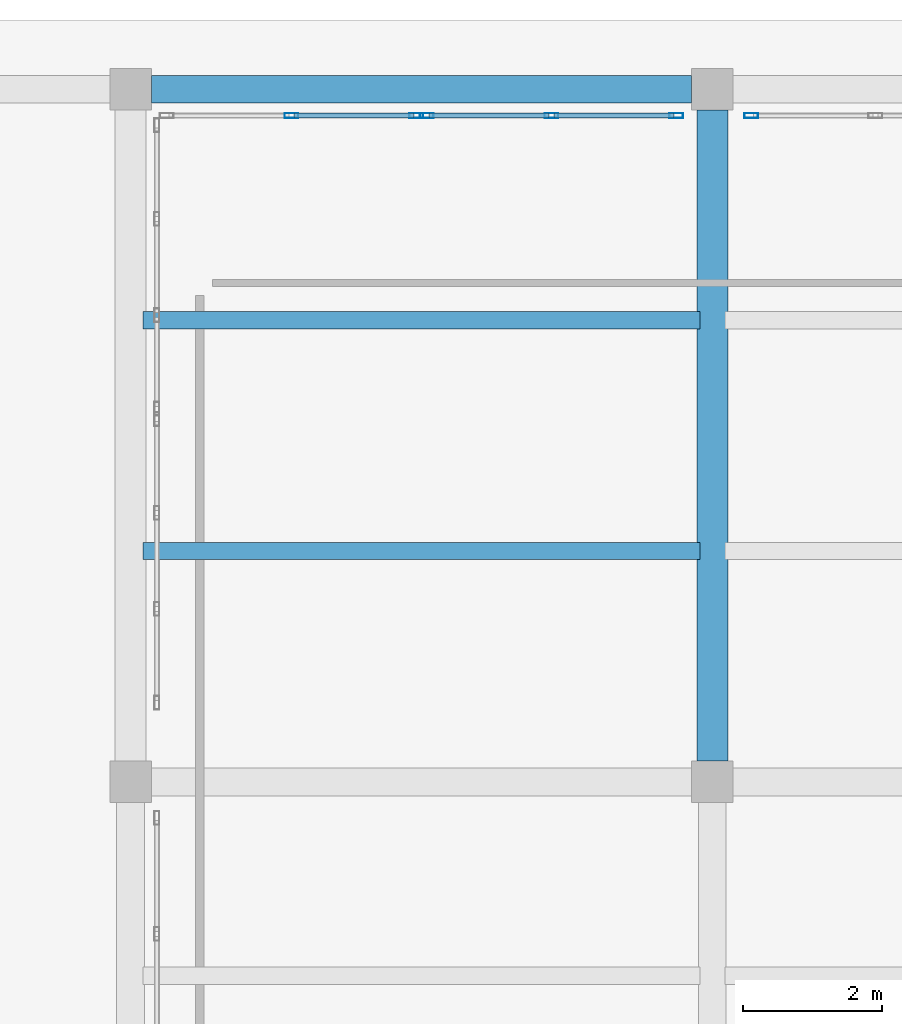
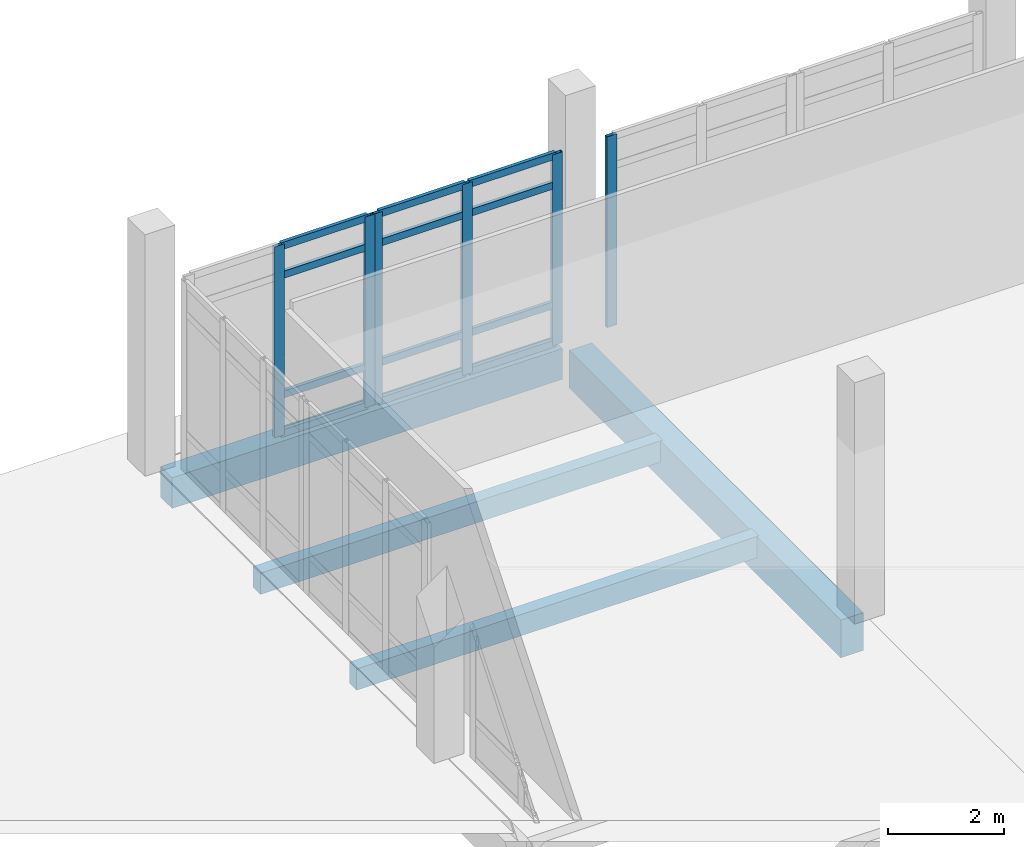
# One storey, part 31 of 64: 18 members, 4 beams, 3 elements without a shape of their own.
"""IFC4 building model written with IfcOpenShell, lengths in metres."""

from ifc_helpers import new_model, si_unit, derived_unit, direction, frame, origin, origin_2d, place, context, subcontext, project, spatial, rectangle, hollow_rectangle, extrude, material, layer, layer_set, material_profile, profile_set, type_object, element, aggregate, save


model = new_model("IFC4")

# Units and contexts
model_context = context("Model", 3, precision=1e-05, world=origin(), true_north=direction((0.0, 1.0)))
body_context = subcontext(model_context, "Body", "Model", "MODEL_VIEW")
ifc_project = project(units=[si_unit("LENGTHUNIT", "METRE"), si_unit("AREAUNIT", "SQUARE_METRE"), si_unit("VOLUMEUNIT", "CUBIC_METRE"), si_unit("PLANEANGLEUNIT", "RADIAN"), si_unit("MASSUNIT", "GRAM", prefix="KILO"), derived_unit("THERMALTRANSMITTANCEUNIT", [(si_unit("POWERUNIT", "WATT"), 1), (si_unit("LENGTHUNIT", "METRE"), -2), (si_unit("THERMODYNAMICTEMPERATUREUNIT", "KELVIN"), -1)])], contexts=[model_context])

# Site, building, storey
site_placement = place(None, origin())
site = spatial("IfcSite", under=ifc_project, at=site_placement, CompositionType="ELEMENT")
building_placement = place(site_placement, origin())
building = spatial("IfcBuilding", under=site, at=building_placement, Name="Elbkamm Science Centre", CompositionType="ELEMENT")
storey_placement = place(building_placement, origin())
storey = spatial("IfcBuildingStorey", under=building, at=storey_placement, Name="L00", CompositionType="ELEMENT", Elevation=0.0)

# Beams
ifc_material_1 = material(Name="Concrete C40/50", Category="concrete")
ifc_material_profile_1 = material_profile(ifc_material_1, rectangle(XDim=0.39990234375, YDim=0.64990234375, at=origin_2d()), Name="RC 400x650")
ifc_profile_set_1 = profile_set([ifc_material_profile_1], Name="Concrete C40/50")
beam_type_1 = type_object("IfcBeamType", Name="BM-RC-400x650", PredefinedType="BEAM", material=ifc_profile_set_1)
beam_1_placement = place(storey_placement, frame((134.699951171875, 110.800048828125, -0.625), z_axis=(1.0, 0.0, 0.0), x_axis=(0.0, 1.0, 0.0)))
element("IfcBeam", 1, at=beam_1_placement, inside=storey, type_object=beam_type_1, Name="L00 Primary X-Girder 092", PredefinedType="BEAM", context=body_context, shape_type="SweptSolid", body=[
    extrude(rectangle(XDim=0.39990234375, YDim=0.64990234375, at=origin_2d()), origin(), (0.0, 0.0, 1.0), 7.800048828125),
])
ifc_material_profile_2 = material_profile(ifc_material_1, rectangle(XDim=0.449951171875, YDim=0.800048828125, at=origin_2d()), Name="RC 450x800")
ifc_profile_set_2 = profile_set([ifc_material_profile_2], Name="Concrete C40/50")
beam_type_2 = type_object("IfcBeamType", Name="BM-RC-450x800", PredefinedType="BEAM", material=ifc_profile_set_2)
beam_2_placement = place(storey_placement, frame((142.800048828125, 101.10009765625, -0.699951171875), z_axis=(0.0, 1.0, 0.0), x_axis=(-1.0, 0.0, 0.0)))
element("IfcBeam", 2, at=beam_2_placement, inside=storey, type_object=beam_type_2, Name="L00 Primary Y-Girder 067", PredefinedType="BEAM", context=body_context, shape_type="SweptSolid", body=[
    extrude(rectangle(XDim=0.449951171875, YDim=0.800048828125, at=origin_2d()), origin(), (0.0, 0.0, 1.0), 9.39990234375),
])

# Curtain wall, members
ifc_material_2 = material(Name="Powder-coated aluminium and triple low-E glazing", Category="aluminium")
ifc_layer_1 = layer(ifc_material_2, 0.159912109375)
ifc_layer_set_1 = layer_set([ifc_layer_1], Name="Powder-coated aluminium and triple low-E glazing")
curtain_wall_type_1 = type_object("IfcCurtainWallType", Name="CW-UNIT-3680x4040", PredefinedType="USERDEFINED", material=ifc_layer_set_1)
curtain_wall_1_placement = place(storey_placement, origin())
curtain_wall_1 = element("IfcCurtainWall", 3, at=curtain_wall_1_placement, inside=storey, type_object=curtain_wall_type_1, Name="L00 Unitised Curtain Wall 108", ObjectType="UNITISED CURTAIN WALL", PredefinedType="USERDEFINED")
ifc_material_3 = material(Name="Powder-coated aluminium EN AW-6060", Category="aluminium")
ifc_material_profile_3 = material_profile(ifc_material_3, hollow_rectangle(XDim=0.070068359375, YDim=0.199951171875, WallThickness=0.00439453125, at=origin_2d()), Name="ALU M70x200")
ifc_profile_set_3 = profile_set([ifc_material_profile_3], Name="Powder-coated aluminium EN AW-6060")
member_type_1 = type_object("IfcMemberType", Name="CW-MUL-70x200", PredefinedType="MULLION", material=ifc_profile_set_3)
member_1_placement = place(storey_placement, frame((136.72314453125, 110.419921875, 0.0), z_axis=(0.0, 0.0, 1.0), x_axis=(0.0, 1.0, 0.0)))
member_1 = element("IfcMember", 4, at=member_1_placement, type_object=member_type_1, Name="CW-054 mullion 2", PredefinedType="MULLION", context=body_context, shape_type="SweptSolid", body=[
    extrude(hollow_rectangle(XDim=0.070068359375, YDim=0.199951171875, WallThickness=0.00439453125, at=origin_2d()), origin(), (0.0, 0.0, 1.0), 4.030029296875),
])
member_2_placement = place(storey_placement, frame((138.52490234375, 110.419921875, 0.0), z_axis=(0.0, 0.0, 1.0), x_axis=(0.0, 1.0, 0.0)))
member_2 = element("IfcMember", 5, at=member_2_placement, type_object=member_type_1, Name="CW-054 mullion 3", PredefinedType="MULLION", context=body_context, shape_type="SweptSolid", body=[
    extrude(hollow_rectangle(XDim=0.070068359375, YDim=0.199951171875, WallThickness=0.00439453125, at=origin_2d()), origin(), (0.0, 0.0, 1.0), 4.030029296875),
])

curtain_wall_2_placement = place(storey_placement, origin())
curtain_wall_2 = element("IfcCurtainWall", 6, at=curtain_wall_2_placement, inside=storey, type_object=curtain_wall_type_1, Name="L00 Unitised Curtain Wall 109", ObjectType="UNITISED CURTAIN WALL", PredefinedType="USERDEFINED")
member_3_placement = place(storey_placement, frame((138.675048828125, 110.419921875, 0.0), z_axis=(0.0, 0.0, 1.0), x_axis=(0.0, 1.0, 0.0)))
member_3 = element("IfcMember", 7, at=member_3_placement, type_object=member_type_1, Name="CW-054 mullion 1", PredefinedType="MULLION", context=body_context, shape_type="SweptSolid", body=[
    extrude(hollow_rectangle(XDim=0.070068359375, YDim=0.199951171875, WallThickness=0.00439453125, at=origin_2d()), origin(), (0.0, 0.0, 1.0), 4.030029296875),
])
member_4_placement = place(storey_placement, frame((140.476806640625, 110.419921875, 0.0), z_axis=(0.0, 0.0, 1.0), x_axis=(0.0, 1.0, 0.0)))
member_4 = element("IfcMember", 8, at=member_4_placement, type_object=member_type_1, Name="CW-054 mullion 2", PredefinedType="MULLION", context=body_context, shape_type="SweptSolid", body=[
    extrude(hollow_rectangle(XDim=0.070068359375, YDim=0.199951171875, WallThickness=0.00439453125, at=origin_2d()), origin(), (0.0, 0.0, 1.0), 4.030029296875),
])
member_5_placement = place(storey_placement, frame((142.27880859375, 110.419921875, 0.0), z_axis=(0.0, 0.0, 1.0), x_axis=(0.0, 1.0, 0.0)))
member_5 = element("IfcMember", 9, at=member_5_placement, type_object=member_type_1, Name="CW-054 mullion 3", PredefinedType="MULLION", context=body_context, shape_type="SweptSolid", body=[
    extrude(hollow_rectangle(XDim=0.070068359375, YDim=0.199951171875, WallThickness=0.00439453125, at=origin_2d()), origin(), (0.0, 0.0, 1.0), 4.030029296875),
])

# Curtain wall, member
ifc_layer_2 = layer(ifc_material_2, 0.159912109375)
ifc_layer_set_2 = layer_set([ifc_layer_2], Name="Powder-coated aluminium and triple low-E glazing")
curtain_wall_type_2 = type_object("IfcCurtainWallType", Name="CW-UNIT-3660x4040", PredefinedType="USERDEFINED", material=ifc_layer_set_2)
curtain_wall_3_placement = place(storey_placement, origin())
curtain_wall_3 = element("IfcCurtainWall", 10, at=curtain_wall_3_placement, inside=storey, type_object=curtain_wall_type_2, Name="L00 Unitised Curtain Wall 110", ObjectType="UNITISED CURTAIN WALL", PredefinedType="USERDEFINED")
member_6_placement = place(storey_placement, frame((143.36181640625, 110.419921875, 0.0), z_axis=(0.0, 0.0, 1.0), x_axis=(0.0, 1.0, 0.0)))
member_6 = element("IfcMember", 11, at=member_6_placement, type_object=member_type_1, Name="CW-055 mullion 1", PredefinedType="MULLION", context=body_context, shape_type="SweptSolid", body=[
    extrude(hollow_rectangle(XDim=0.070068359375, YDim=0.199951171875, WallThickness=0.00439453125, at=origin_2d()), origin(), (0.0, 0.0, 1.0), 4.030029296875),
])
aggregate(curtain_wall_3, [member_6])

# Member
ifc_material_profile_4 = material_profile(ifc_material_3, hollow_rectangle(XDim=0.070068359375, YDim=0.14990234375, WallThickness=0.00390625, at=origin_2d()), Name="ALU T70x150")
ifc_profile_set_4 = profile_set([ifc_material_profile_4], Name="Powder-coated aluminium EN AW-6060")
member_type_2 = type_object("IfcMemberType", Name="CW-TRN-70x150", PredefinedType="USERDEFINED", material=ifc_profile_set_4)
member_7_placement = place(storey_placement, frame((136.758056640625, 110.419921875, 0.034912109375), z_axis=(1.0, 0.0, 0.0), x_axis=(0.0, 1.0, 0.0)))
member_7 = element("IfcMember", 12, at=member_7_placement, type_object=member_type_2, Name="CW-054 transom 2.1", ObjectType="TRANSOM", PredefinedType="USERDEFINED", context=body_context, shape_type="SweptSolid", body=[
    extrude(hollow_rectangle(XDim=0.070068359375, YDim=0.14990234375, WallThickness=0.00390625, at=origin_2d()), origin(), (0.0, 0.0, 1.0), 1.73193359375),
])

member_8_placement = place(storey_placement, frame((136.758056640625, 110.419921875, 0.85009765625), z_axis=(1.0, 0.0, 0.0), x_axis=(0.0, 1.0, 0.0)))
member_8 = element("IfcMember", 13, at=member_8_placement, type_object=member_type_2, Name="CW-054 transom 2.2", ObjectType="TRANSOM", PredefinedType="USERDEFINED", context=body_context, shape_type="SweptSolid", body=[
    extrude(hollow_rectangle(XDim=0.070068359375, YDim=0.14990234375, WallThickness=0.00390625, at=origin_2d()), origin(), (0.0, 0.0, 1.0), 1.73193359375),
])

member_9_placement = place(storey_placement, frame((136.758056640625, 110.419921875, 3.3798828125), z_axis=(1.0, 0.0, 0.0), x_axis=(0.0, 1.0, 0.0)))
member_9 = element("IfcMember", 14, at=member_9_placement, type_object=member_type_2, Name="CW-054 transom 2.3", ObjectType="TRANSOM", PredefinedType="USERDEFINED", context=body_context, shape_type="SweptSolid", body=[
    extrude(hollow_rectangle(XDim=0.070068359375, YDim=0.14990234375, WallThickness=0.00390625, at=origin_2d()), origin(), (0.0, 0.0, 1.0), 1.73193359375),
])

member_10_placement = place(storey_placement, frame((136.758056640625, 110.419921875, 3.9951171875), z_axis=(1.0, 0.0, 0.0), x_axis=(0.0, 1.0, 0.0)))
member_10 = element("IfcMember", 15, at=member_10_placement, type_object=member_type_2, Name="CW-054 transom 2.4", ObjectType="TRANSOM", PredefinedType="USERDEFINED", context=body_context, shape_type="SweptSolid", body=[
    extrude(hollow_rectangle(XDim=0.070068359375, YDim=0.14990234375, WallThickness=0.00390625, at=origin_2d()), origin(), (0.0, 0.0, 1.0), 1.73193359375),
])

aggregate(curtain_wall_1, [member_1, member_2, member_7, member_8, member_9, member_10])

member_11_placement = place(storey_placement, frame((138.7099609375, 110.419921875, 0.034912109375), z_axis=(1.0, 0.0, 0.0), x_axis=(0.0, 1.0, 0.0)))
member_11 = element("IfcMember", 16, at=member_11_placement, type_object=member_type_2, Name="CW-054 transom 1.1", ObjectType="TRANSOM", PredefinedType="USERDEFINED", context=body_context, shape_type="SweptSolid", body=[
    extrude(hollow_rectangle(XDim=0.070068359375, YDim=0.14990234375, WallThickness=0.00390625, at=origin_2d()), origin(), (0.0, 0.0, 1.0), 1.73193359375),
])

member_12_placement = place(storey_placement, frame((138.7099609375, 110.419921875, 0.85009765625), z_axis=(1.0, 0.0, 0.0), x_axis=(0.0, 1.0, 0.0)))
member_12 = element("IfcMember", 17, at=member_12_placement, type_object=member_type_2, Name="CW-054 transom 1.2", ObjectType="TRANSOM", PredefinedType="USERDEFINED", context=body_context, shape_type="SweptSolid", body=[
    extrude(hollow_rectangle(XDim=0.070068359375, YDim=0.14990234375, WallThickness=0.00390625, at=origin_2d()), origin(), (0.0, 0.0, 1.0), 1.73193359375),
])

member_13_placement = place(storey_placement, frame((138.7099609375, 110.419921875, 3.3798828125), z_axis=(1.0, 0.0, 0.0), x_axis=(0.0, 1.0, 0.0)))
member_13 = element("IfcMember", 18, at=member_13_placement, type_object=member_type_2, Name="CW-054 transom 1.3", ObjectType="TRANSOM", PredefinedType="USERDEFINED", context=body_context, shape_type="SweptSolid", body=[
    extrude(hollow_rectangle(XDim=0.070068359375, YDim=0.14990234375, WallThickness=0.00390625, at=origin_2d()), origin(), (0.0, 0.0, 1.0), 1.73193359375),
])

member_14_placement = place(storey_placement, frame((138.7099609375, 110.419921875, 3.9951171875), z_axis=(1.0, 0.0, 0.0), x_axis=(0.0, 1.0, 0.0)))
member_14 = element("IfcMember", 19, at=member_14_placement, type_object=member_type_2, Name="CW-054 transom 1.4", ObjectType="TRANSOM", PredefinedType="USERDEFINED", context=body_context, shape_type="SweptSolid", body=[
    extrude(hollow_rectangle(XDim=0.070068359375, YDim=0.14990234375, WallThickness=0.00390625, at=origin_2d()), origin(), (0.0, 0.0, 1.0), 1.73193359375),
])

member_15_placement = place(storey_placement, frame((140.511962890625, 110.419921875, 0.034912109375), z_axis=(1.0, 0.0, 0.0), x_axis=(0.0, 1.0, 0.0)))
member_15 = element("IfcMember", 20, at=member_15_placement, type_object=member_type_2, Name="CW-054 transom 2.1", ObjectType="TRANSOM", PredefinedType="USERDEFINED", context=body_context, shape_type="SweptSolid", body=[
    extrude(hollow_rectangle(XDim=0.070068359375, YDim=0.14990234375, WallThickness=0.00390625, at=origin_2d()), origin(), (0.0, 0.0, 1.0), 1.731689453125),
])

member_16_placement = place(storey_placement, frame((140.511962890625, 110.419921875, 0.85009765625), z_axis=(1.0, 0.0, 0.0), x_axis=(0.0, 1.0, 0.0)))
member_16 = element("IfcMember", 21, at=member_16_placement, type_object=member_type_2, Name="CW-054 transom 2.2", ObjectType="TRANSOM", PredefinedType="USERDEFINED", context=body_context, shape_type="SweptSolid", body=[
    extrude(hollow_rectangle(XDim=0.070068359375, YDim=0.14990234375, WallThickness=0.00390625, at=origin_2d()), origin(), (0.0, 0.0, 1.0), 1.731689453125),
])

member_17_placement = place(storey_placement, frame((140.511962890625, 110.419921875, 3.3798828125), z_axis=(1.0, 0.0, 0.0), x_axis=(0.0, 1.0, 0.0)))
member_17 = element("IfcMember", 22, at=member_17_placement, type_object=member_type_2, Name="CW-054 transom 2.3", ObjectType="TRANSOM", PredefinedType="USERDEFINED", context=body_context, shape_type="SweptSolid", body=[
    extrude(hollow_rectangle(XDim=0.070068359375, YDim=0.14990234375, WallThickness=0.00390625, at=origin_2d()), origin(), (0.0, 0.0, 1.0), 1.731689453125),
])

member_18_placement = place(storey_placement, frame((140.511962890625, 110.419921875, 3.9951171875), z_axis=(1.0, 0.0, 0.0), x_axis=(0.0, 1.0, 0.0)))
member_18 = element("IfcMember", 23, at=member_18_placement, type_object=member_type_2, Name="CW-054 transom 2.4", ObjectType="TRANSOM", PredefinedType="USERDEFINED", context=body_context, shape_type="SweptSolid", body=[
    extrude(hollow_rectangle(XDim=0.070068359375, YDim=0.14990234375, WallThickness=0.00390625, at=origin_2d()), origin(), (0.0, 0.0, 1.0), 1.731689453125),
])

aggregate(curtain_wall_2, [member_3, member_4, member_5, member_11, member_12, member_13, member_14, member_15, member_16, member_17, member_18])

# Beams
ifc_material_profile_5 = material_profile(ifc_material_1, rectangle(XDim=0.25, YDim=0.449951171875, at=origin_2d()), Name="RC 250x450")
ifc_profile_set_5 = profile_set([ifc_material_profile_5], Name="Concrete C40/50")
beam_type_3 = type_object("IfcBeamType", Name="JST-RC-250x450", PredefinedType="JOIST", material=ifc_profile_set_5)
for number, where, z_axis, x_axis, name in (
    (24, (134.580078125, 104.13330078125, -0.52490234375), (1.0, 0.0, 0.0), (0.0, 1.0, 0.0), "L00 Secondary Floor Joist 047"),
    (25, (134.580078125, 107.466796875, -0.52490234375), (1.0, 0.0, 0.0), (0.0, 1.0, 0.0), "L00 Secondary Floor Joist 048"),
):
    element("IfcBeam", number, at=place(storey_placement, frame(where, z_axis=z_axis, x_axis=x_axis)), inside=storey, type_object=beam_type_3, Name=name, PredefinedType="JOIST", context=body_context, shape_type="SweptSolid", body=[
        extrude(rectangle(XDim=0.25, YDim=0.449951171875, at=origin_2d()), origin(), (0.0, 0.0, 1.0), 8.0400390625),
    ])

save(model, "model.ifc")
